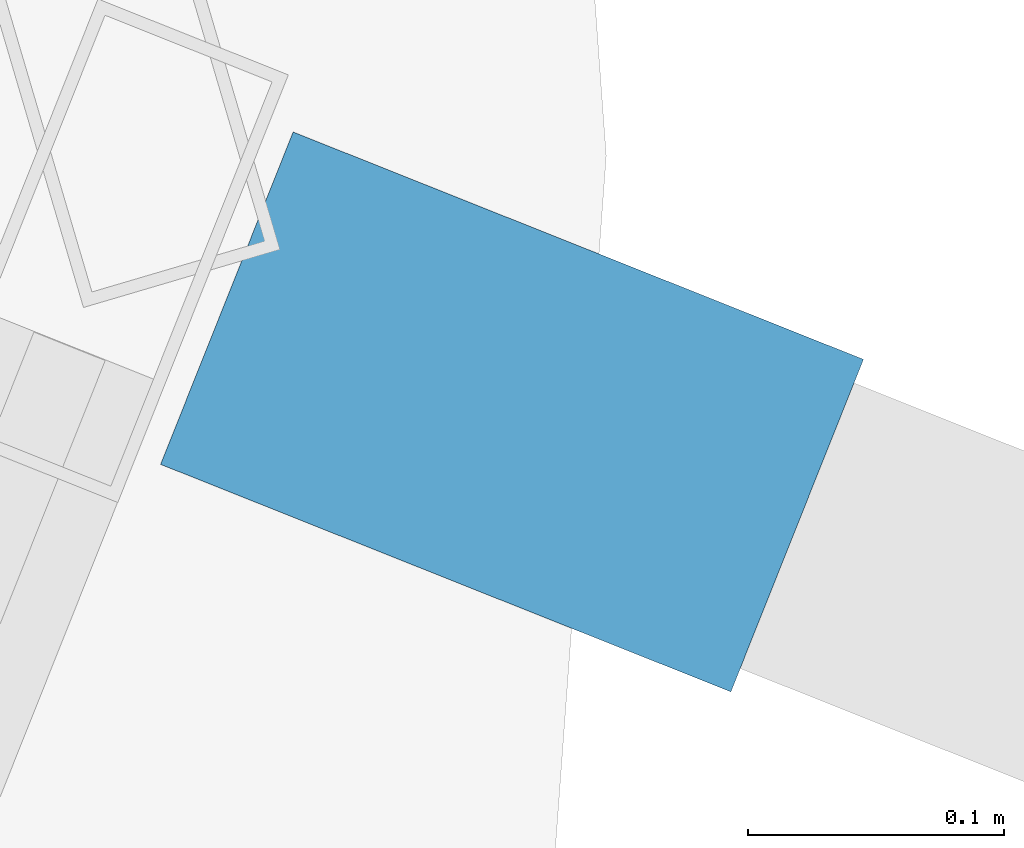
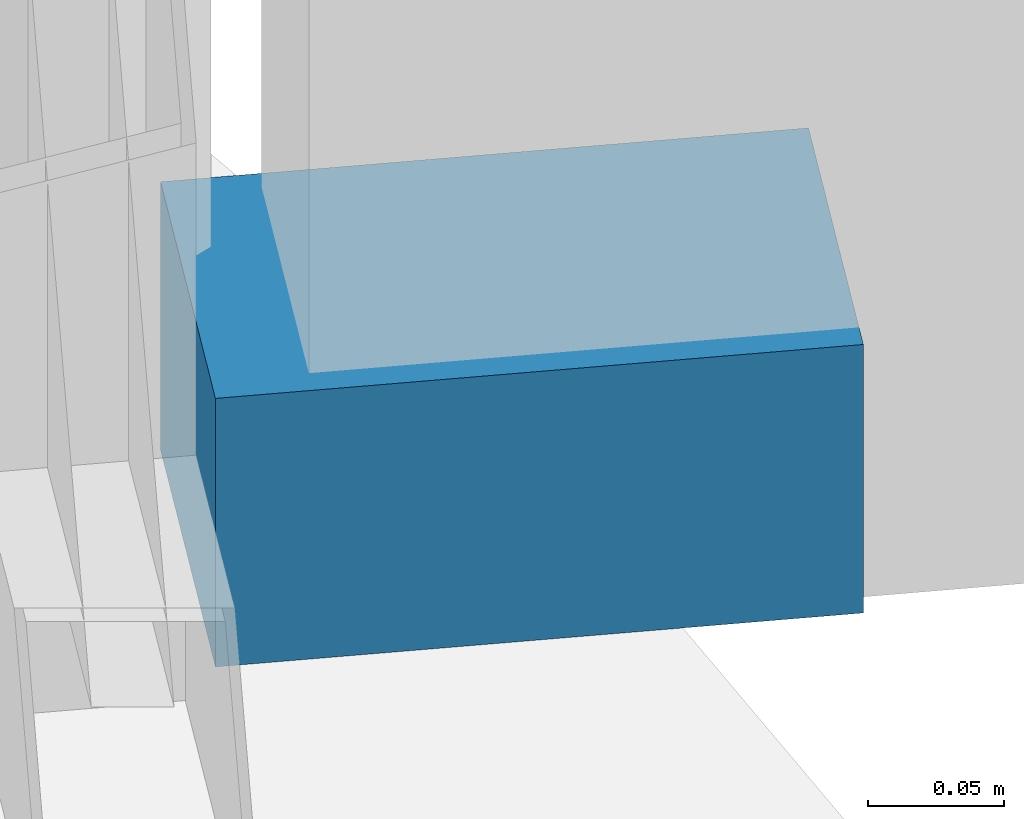
# One storey, part 29 of 33: 1 discrete accessory.
"""IFC4 building model written with IfcOpenShell, lengths in metres."""

from ifc_helpers import new_model, si_unit, direction, frame, origin, origin_2d, place, context, subcontext, project, spatial, rectangle, extrude, material, type_object, element, save


model = new_model("IFC4")

# Units and contexts
model_context = context("Model", 3, precision=1e-05, world=origin(), true_north=direction((0.0, 1.0)))
body_context = subcontext(model_context, "Body", "Model", "MODEL_VIEW")
ifc_project = project(units=[si_unit("LENGTHUNIT", "METRE"), si_unit("AREAUNIT", "SQUARE_METRE"), si_unit("VOLUMEUNIT", "CUBIC_METRE"), si_unit("PLANEANGLEUNIT", "RADIAN"), si_unit("MASSUNIT", "GRAM", prefix="KILO")], contexts=[model_context])

# Site, building, storey
site_placement = place(None, origin())
site = spatial("IfcSite", under=ifc_project, at=site_placement, CompositionType="ELEMENT")
building_placement = place(site_placement, origin())
building = spatial("IfcBuilding", under=site, at=building_placement, Name="Kazevale Care Tower and Concert Hall", CompositionType="ELEMENT")
storey_placement = place(building_placement, frame((0.0, 0.0, 27.60009765625)))
storey = spatial("IfcBuildingStorey", under=building, at=storey_placement, Name="L06", CompositionType="ELEMENT", Elevation=27.60009765625)

# Discrete accessory
ifc_material = material(Name="Stainless Steel 316", Category="steel")
discrete_accessory_type = type_object("IfcDiscreteAccessoryType", Name="Facade Fin Stainless Anchor Bracket BRK-1", PredefinedType="BRACKET", material=ifc_material)
discrete_accessory_placement = place(storey_placement, frame((80.76318359375, 37.89990234375, -0.000244140625), z_axis=(0.0, 0.0, 1.0), x_axis=(0.928874213199, -0.370395324019, 0.0)))
element("IfcDiscreteAccessory", 1, at=discrete_accessory_placement, inside=storey, type_object=discrete_accessory_type, Name="cw:L06:f01:brk", PredefinedType="BRACKET", context=body_context, shape_type="SweptSolid", body=[
    extrude(rectangle(XDim=0.239990234375, YDim=0.139892578125, at=origin_2d()), origin(), (0.0, 0.0, 1.0), 0.1201171875),
])

save(model, "model.ifc")
